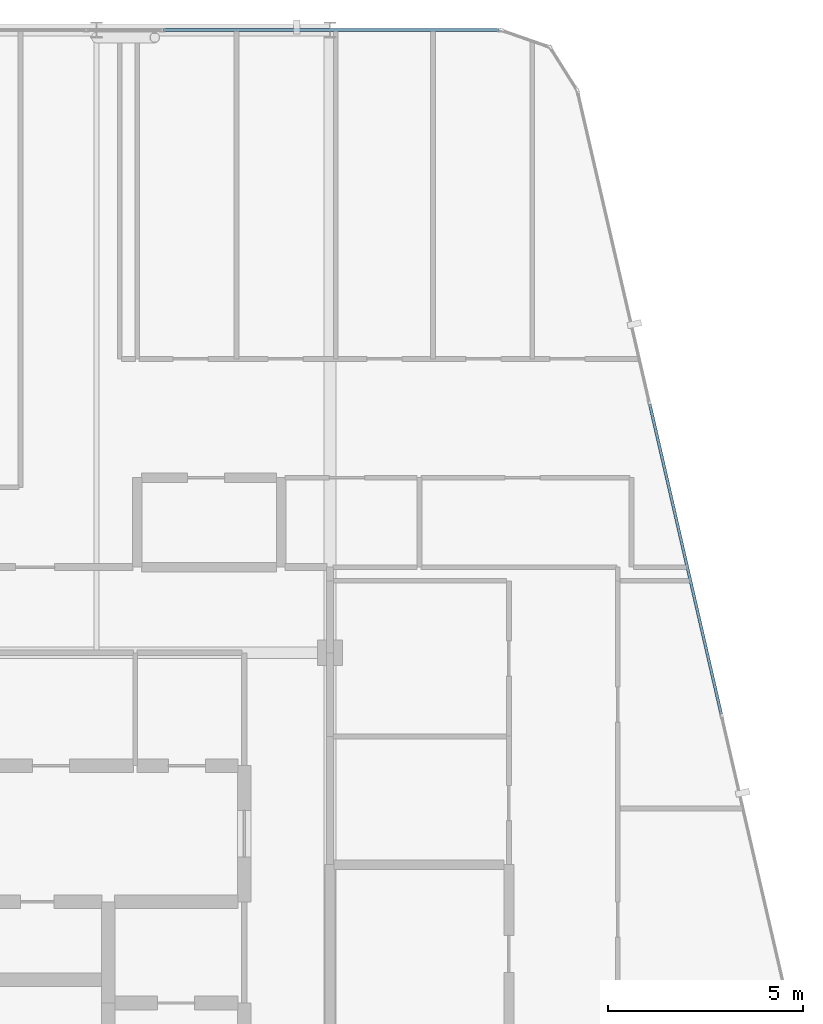
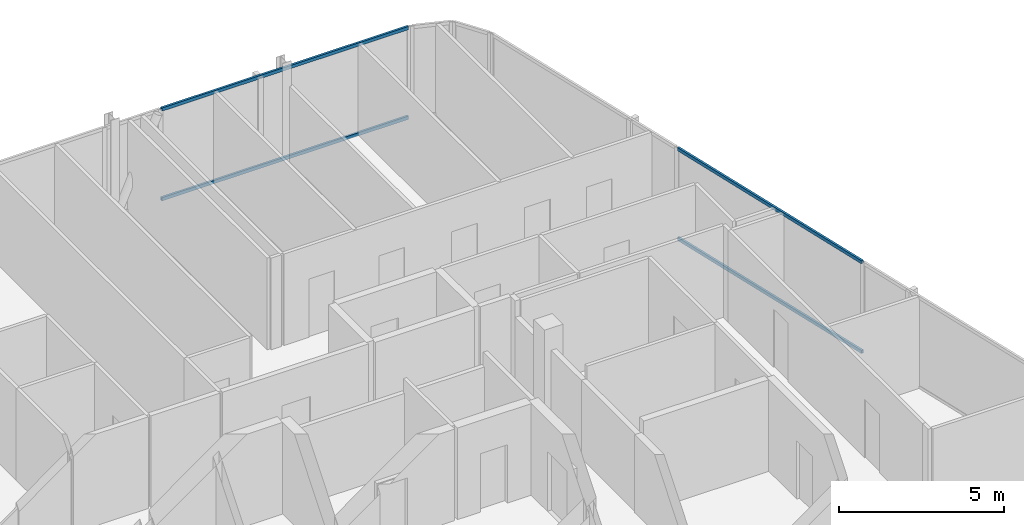
# One storey, part 18 of 27: 4 members, 2 elements without a shape of their own.
"""IFC4 building model written with IfcOpenShell, lengths in metres."""

from ifc_helpers import new_model, si_unit, direction, frame, origin, origin_2d, place, context, subcontext, project, spatial, hollow_rectangle, extrude, material, layer, layer_set, material_profile, profile_set, type_object, element, aggregate, save


model = new_model("IFC4")

# Units and contexts
model_context = context("Model", 3, precision=1e-05, world=origin(), true_north=direction((0.0, 1.0)))
body_context = subcontext(model_context, "Body", "Model", "MODEL_VIEW")
ifc_project = project(units=[si_unit("LENGTHUNIT", "METRE"), si_unit("AREAUNIT", "SQUARE_METRE"), si_unit("VOLUMEUNIT", "CUBIC_METRE"), si_unit("PLANEANGLEUNIT", "RADIAN"), si_unit("MASSUNIT", "GRAM", prefix="KILO")], contexts=[model_context])

# Site, building, storey
site_placement = place(None, origin())
site = spatial("IfcSite", under=ifc_project, at=site_placement, CompositionType="ELEMENT")
building_placement = place(site_placement, origin())
building = spatial("IfcBuilding", under=site, at=building_placement, Name="Keshet Zoharim Tower", CompositionType="ELEMENT")
storey_placement = place(building_placement, frame((0.0, 0.0, 295.39990234375)))
storey = spatial("IfcBuildingStorey", under=building, at=storey_placement, Name="L74", CompositionType="ELEMENT", Elevation=295.39990234375)

# Curtain wall, members
ifc_material = material(Name="Aluminium 6063-T6", Category="aluminium")
ifc_layer = layer(ifc_material, 0.260009765625)
ifc_layer_set = layer_set([ifc_layer], Name="Aluminium 6063-T6")
curtain_wall_type = type_object("IfcCurtainWallType", Name="CW-SYS-06", PredefinedType="NOTDEFINED", material=ifc_layer_set)
curtain_wall_1_placement = place(storey_placement, origin())
curtain_wall_1 = element("IfcCurtainWall", 1, at=curtain_wall_1_placement, inside=storey, type_object=curtain_wall_type, Name="L74 Unitised Curtain Wall 06 Part 5", PredefinedType="NOTDEFINED")
ifc_material_profile = material_profile(ifc_material, hollow_rectangle(XDim=0.074951171875, YDim=0.1201171875, WallThickness=0.00390625, at=origin_2d()), Name="TRN-75x120")
ifc_profile_set = profile_set([ifc_material_profile], Name="Aluminium 6063-T6")
member_type = type_object("IfcMemberType", Name="CWT-T12", PredefinedType="USERDEFINED", material=ifc_profile_set)
member_1_placement = place(storey_placement, frame((28.724853515625, 53.89990234375, 0.03515625), z_axis=(1.0, 0.0, 0.0), x_axis=(0.0, 1.0, 0.0)))
member_1 = element("IfcMember", 2, at=member_1_placement, type_object=member_type, Name="CW-06 transom 1.1", ObjectType="TRANSOM", PredefinedType="USERDEFINED", context=body_context, shape_type="SweptSolid", body=[
    extrude(hollow_rectangle(XDim=0.074951171875, YDim=0.1201171875, WallThickness=0.00390625, at=origin_2d()), origin(), (0.0, 0.0, 1.0), 8.6142578125),
])
member_2_placement = place(storey_placement, frame((28.724853515625, 53.89990234375, 3.34521484375), z_axis=(1.0, 0.0, 0.0), x_axis=(0.0, 1.0, 0.0)))
member_2 = element("IfcMember", 3, at=member_2_placement, type_object=member_type, Name="CW-06 transom 1.2", ObjectType="TRANSOM", PredefinedType="USERDEFINED", context=body_context, shape_type="SweptSolid", body=[
    extrude(hollow_rectangle(XDim=0.074951171875, YDim=0.1201171875, WallThickness=0.00390625, at=origin_2d()), origin(), (0.0, 0.0, 1.0), 8.6142578125),
])
aggregate(curtain_wall_1, [member_1, member_2])

curtain_wall_2_placement = place(storey_placement, origin())
curtain_wall_2 = element("IfcCurtainWall", 4, at=curtain_wall_2_placement, inside=storey, type_object=curtain_wall_type, Name="L74 Unitised Curtain Wall 09", PredefinedType="NOTDEFINED")
member_3_placement = place(storey_placement, frame((41.218505859375, 44.28662109375, 0.03515625), z_axis=(0.224826771459, -0.974398749402, 0.0), x_axis=(0.974398749402, 0.224826771459, 0.0)))
member_3 = element("IfcMember", 5, at=member_3_placement, type_object=member_type, Name="CW-06 transom 2.1", ObjectType="TRANSOM", PredefinedType="USERDEFINED", context=body_context, shape_type="SweptSolid", body=[
    extrude(hollow_rectangle(XDim=0.074951171875, YDim=0.1201171875, WallThickness=0.00390625, at=origin_2d()), origin(), (0.0, 0.0, 1.0), 8.17041015625),
])
member_4_placement = place(storey_placement, frame((41.218505859375, 44.28662109375, 3.34521484375), z_axis=(0.224826771459, -0.974398749402, 0.0), x_axis=(0.974398749402, 0.224826771459, 0.0)))
member_4 = element("IfcMember", 6, at=member_4_placement, type_object=member_type, Name="CW-06 transom 2.2", ObjectType="TRANSOM", PredefinedType="USERDEFINED", context=body_context, shape_type="SweptSolid", body=[
    extrude(hollow_rectangle(XDim=0.074951171875, YDim=0.1201171875, WallThickness=0.00390625, at=origin_2d()), origin(), (0.0, 0.0, 1.0), 8.17041015625),
])
aggregate(curtain_wall_2, [member_3, member_4])

save(model, "model.ifc")
